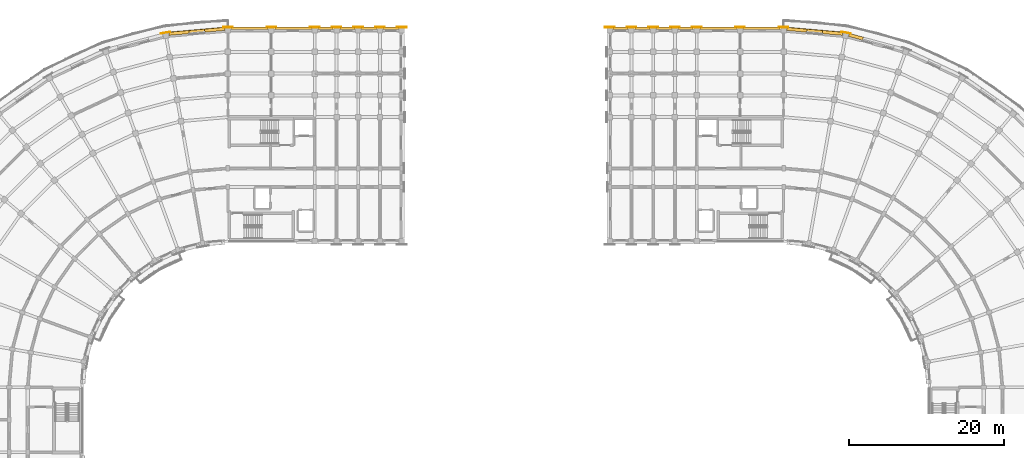
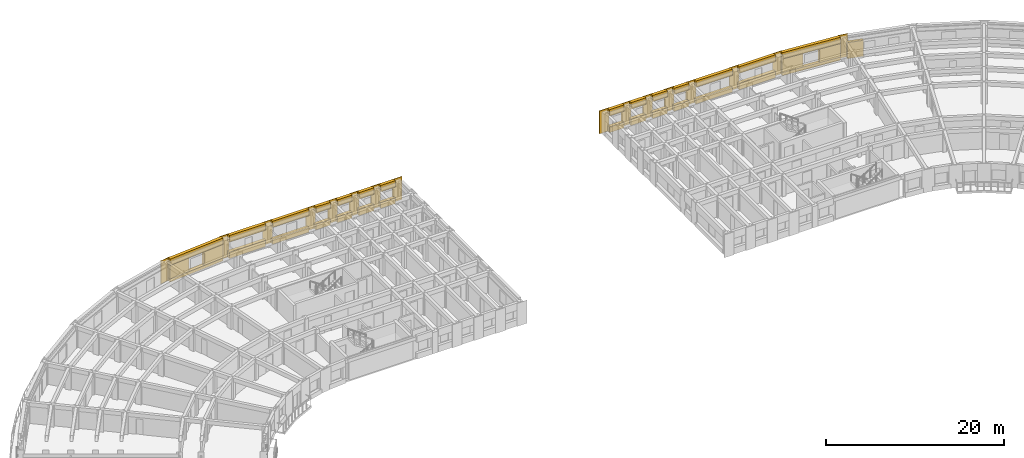
# One storey, part 57 of 57: 49 coverings.
"""IFC4 building model written with IfcOpenShell, lengths in metres."""

import ifcopenshell
import ifcopenshell.guid

model = None  # the IFC model being written
_history = None  # IfcOwnerHistory: only IFC2X3 demands one
_inside = {}  # id of a spatial element -> (the spatial element, [elements in it])
_under = {}  # id of a project, library or spatial element -> (it, [spatial elements below it])
_declared = {}  # id of a project -> (the project, [libraries it declares])
_typed = {}  # id of a type object -> (the type object, [elements of that type])
_made_of = {}  # id of a material, layer set ... -> (it, [elements and type objects made of it])


def new_model(schema):
    """Start an empty IFC model of exactly this schema.

    Asked for "IFC4X3", IfcOpenShell would pick the latest addendum, in which some entities
    have other attributes; the version numbers below select the first issue.
    IFC2X3 requires an IfcOwnerHistory on every rooted entity: one is made here for all.
    """
    global model, _history
    if schema == "IFC4X3":
        model = ifcopenshell.file(schema_version=(4, 3, 0, 0))
    else:
        model = ifcopenshell.file(schema=schema)
    _inside.clear()
    _under.clear()
    _declared.clear()
    _typed.clear()
    _made_of.clear()
    _history = None
    if model.schema == "IFC2X3":
        org = make("IfcOrganization", Name="unknown")
        user = make(
            "IfcPersonAndOrganization",
            ThePerson=make("IfcPerson", FamilyName="unknown"),
            TheOrganization=org,
        )
        app = make(
            "IfcApplication",
            ApplicationDeveloper=org,
            Version="unknown",
            ApplicationFullName="unknown",
            ApplicationIdentifier="unknown",
        )
        _history = make(
            "IfcOwnerHistory",
            OwningUser=user,
            OwningApplication=app,
            ChangeAction="ADDED",
            CreationDate=0,
        )
    return model


def make(cls, **values):
    """One entity of the class cls with the attributes given. An attribute that is None is left unset."""
    return model.create_entity(
        cls, **{name: value for name, value in values.items() if value is not None}
    )


def rooted(cls, **values):
    """An entity with a GlobalId (a new one), such as an element, a storey or a relation."""
    return make(cls, GlobalId=ifcopenshell.guid.new(), OwnerHistory=_history, **values)


def si_unit(unit_type, name, prefix=None):
    """IfcSIUnit, for example si_unit("LENGTHUNIT", "METRE", prefix="MILLI")."""
    return make("IfcSIUnit", UnitType=unit_type, Prefix=prefix, Name=name)


def assignment(units):
    """IfcUnitAssignment: the units of a project."""
    return None if units is None else make("IfcUnitAssignment", Units=units)


def point(xyz):
    """IfcCartesianPoint."""
    return None if xyz is None else make("IfcCartesianPoint", Coordinates=xyz)


def direction(xyz):
    """IfcDirection."""
    return None if xyz is None else make("IfcDirection", DirectionRatios=xyz)


def frame(location, z_axis=None, x_axis=None):
    """IfcAxis2Placement3D, a coordinate frame: its origin and axes. An axis left out is left unset."""
    return make(
        "IfcAxis2Placement3D",
        Location=point(location),
        Axis=direction(z_axis),
        RefDirection=direction(x_axis),
    )


def origin():
    """The frame at (0, 0, 0) with its axes left unset."""
    return frame((0.0, 0.0, 0.0))


def place(relative_to, where):
    """IfcLocalPlacement: puts the frame where relative to a parent placement (None: the world)."""
    return make(
        "IfcLocalPlacement", PlacementRelTo=relative_to, RelativePlacement=where
    )


def context(
    kind, dimensions, precision=None, world=None, true_north=None, identifier=None
):
    """IfcGeometricRepresentationContext, for example the 3D "Model" context."""
    return make(
        "IfcGeometricRepresentationContext",
        ContextIdentifier=identifier,
        ContextType=kind,
        CoordinateSpaceDimension=dimensions,
        Precision=precision,
        WorldCoordinateSystem=world,
        TrueNorth=true_north,
    )


def subcontext(parent, identifier, kind, view, scale=None):
    """IfcGeometricRepresentationSubContext, for example "Body" below "Model"."""
    return make(
        "IfcGeometricRepresentationSubContext",
        ContextIdentifier=identifier,
        ContextType=kind,
        ParentContext=parent,
        TargetScale=scale,
        TargetView=view,
    )


def project(units=None, contexts=None):
    """IfcProject with its units and contexts."""
    return rooted(
        "IfcProject",
        Name="project",
        RepresentationContexts=contexts,
        UnitsInContext=assignment(units),
    )


def spatial(cls, under=None, at=None, **own):
    """A site, building, storey or space (cls), placed at a placement, below another one or the project."""
    s = rooted(cls, ObjectPlacement=at, **own)
    if under is not None:
        _under.setdefault(under.id(), (under, []))[1].append(s)
    return s


def polyline(points):
    """IfcPolyline through the points."""
    return make("IfcPolyline", Points=[point(p) for p in points])


def outline(outer, holes=None, kind="AREA"):
    """IfcArbitraryClosedProfileDef: a profile drawn as a closed curve; with holes, ...WithVoids."""
    if holes is None:
        return make("IfcArbitraryClosedProfileDef", ProfileType=kind, OuterCurve=outer)
    return make(
        "IfcArbitraryProfileDefWithVoids",
        ProfileType=kind,
        OuterCurve=outer,
        InnerCurves=holes,
    )


def extrude(swept, where, along, depth):
    """IfcExtrudedAreaSolid: the profile swept, set in the frame where, extruded along a direction by depth."""
    return make(
        "IfcExtrudedAreaSolid",
        SweptArea=swept,
        Position=where,
        ExtrudedDirection=direction(along),
        Depth=depth,
    )


def shape(context_of_items, identifier, shape_type, items):
    """IfcShapeRepresentation: the items that make up one representation, for example the "Body"."""
    return make(
        "IfcShapeRepresentation",
        ContextOfItems=context_of_items,
        RepresentationIdentifier=identifier,
        RepresentationType=shape_type,
        Items=items,
    )


def material(Name=None, Category=None):
    """IfcMaterial."""
    return make("IfcMaterial", Name=Name, Category=Category)


def layer(
    of_material, thickness, ventilated=None, Name=None, Category=None, Priority=None
):
    """IfcMaterialLayer: one layer of a wall or slab, of a material (None: an air gap)."""
    return make(
        "IfcMaterialLayer",
        Material=of_material,
        LayerThickness=thickness,
        IsVentilated=ventilated,
        Name=Name,
        Category=Category,
        Priority=Priority,
    )


def layer_set(layers, Name=None):
    """IfcMaterialLayerSet."""
    return make("IfcMaterialLayerSet", MaterialLayers=layers, LayerSetName=Name)


def made_of(thing, what):
    """Note that an element or type object is made of a material, layer set ...; save() writes the relation."""
    if what is not None:
        _made_of.setdefault(what.id(), (what, []))[1].append(thing)
    return thing


def type_object(cls, material=None, **own):
    """A type object (cls), such as IfcWallType, which elements share."""
    return made_of(rooted(cls, **own), material)


def element(
    cls,
    number,
    at=None,
    inside=None,
    cuts=None,
    type_object=None,
    material=None,
    context=None,
    identifier="Body",
    shape_type=None,
    held_by="IfcProductDefinitionShape",
    body=None,
    shapes=None,
    **own,
):
    """One element of the class cls, such as IfcWall. Its Tag is "e" and its number.

    at: its placement. inside: the storey or other place that contains it. cuts: it is an
    opening in that element (IfcRelVoidsElement). A single representation is given by context,
    identifier, shape_type and body (its items); several are given by shapes. held_by: the class
    of the entity that holds the representations. save() writes the other relations.
    """
    e = rooted(cls, Tag="e%d" % number, ObjectPlacement=at, **own)
    if body is not None:
        shapes = [shape(context, identifier, shape_type, body)]
    if shapes is not None:
        e.Representation = make(held_by, Representations=shapes)
    if inside is not None:
        _inside.setdefault(inside.id(), (inside, []))[1].append(e)
    if cuts is not None:
        rooted(
            "IfcRelVoidsElement", RelatingBuildingElement=cuts, RelatedOpeningElement=e
        )
    if type_object is not None:
        _typed.setdefault(type_object.id(), (type_object, []))[1].append(e)
    return made_of(e, material)


def aggregate(whole, parts):
    """IfcRelAggregates: a whole, such as a stair, and the parts it consists of."""
    return rooted("IfcRelAggregates", RelatingObject=whole, RelatedObjects=parts)


def save(model, path):
    """Write the relations noted so far, then the file.

    IfcRelAggregates (storeys below a building ...), IfcRelContainedInSpatialStructure (elements
    in a storey), IfcRelDefinesByType, IfcRelAssociatesMaterial and IfcRelDeclares: one each for
    every whole, place, type object, material and project.
    """
    for whole, parts in _under.values():
        aggregate(whole, parts)
    for where, things in _inside.values():
        rooted(
            "IfcRelContainedInSpatialStructure",
            RelatedElements=things,
            RelatingStructure=where,
        )
    for kind, things in _typed.values():
        rooted("IfcRelDefinesByType", RelatedObjects=things, RelatingType=kind)
    for what, things in _made_of.values():
        rooted("IfcRelAssociatesMaterial", RelatedObjects=things, RelatingMaterial=what)
    for by, libraries in _declared.values():
        rooted("IfcRelDeclares", RelatingContext=by, RelatedDefinitions=libraries)
    model.write(path)


model = new_model("IFC4")

# Units and contexts
model_context = context("Model", 3, precision=1e-05, world=origin(), true_north=direction((0.0, 1.0)))
body_context = subcontext(model_context, "Body", "Model", "MODEL_VIEW")
ifc_project = project(units=[si_unit("LENGTHUNIT", "METRE"), si_unit("AREAUNIT", "SQUARE_METRE"), si_unit("VOLUMEUNIT", "CUBIC_METRE"), si_unit("PLANEANGLEUNIT", "RADIAN"), si_unit("MASSUNIT", "GRAM", prefix="KILO")], contexts=[model_context])

# Site, building, storey
site_placement = place(None, origin())
site = spatial("IfcSite", under=ifc_project, at=site_placement, CompositionType="ELEMENT")
building_placement = place(site_placement, origin())
building = spatial("IfcBuilding", under=site, at=building_placement, Name="Kiranvali Square Residences", CompositionType="ELEMENT")
storey_placement = place(building_placement, frame((0.0, 0.0, 21.300048828125)))
storey = spatial("IfcBuildingStorey", under=building, at=storey_placement, Name="L06", CompositionType="ELEMENT", Elevation=21.300048828125)

# Coverings
ifc_material = material(Name="Honed Porbandar limestone ashlar facade cladding", Category="masonry")
ifc_layer_1 = layer(ifc_material, 0.3798828125)
ifc_layer_set_1 = layer_set([ifc_layer_1], Name="Honed Porbandar limestone ashlar facade cladding")
covering_type_1 = type_object("IfcCoveringType", Name="COV-CLAD-JAMB", PredefinedType="CLADDING", material=ifc_layer_set_1)
covering_1_placement = place(storey_placement, frame((0.0, 0.0, 0.421875)))
element("IfcCovering", 1, at=covering_1_placement, inside=storey, type_object=covering_type_1, Name="L06 deep limestone window jamb reveal A-L06-CRV-00.L", PredefinedType="CLADDING", context=body_context, shape_type="SweptSolid", body=[
    extrude(outline(polyline([(47.765869140625, 134.173583984375), (45.19140625, 133.9482421875), (45.22705078125, 133.54052734375), (47.801513671875, 133.765625), (47.765869140625, 134.173583984375)])), origin(), (0.0, 0.0, 1.0), 1.85009765625),
])
covering_2_placement = place(storey_placement, frame((0.0, 0.0, 0.421875)))
element("IfcCovering", 2, at=covering_2_placement, inside=storey, type_object=covering_type_1, Name="L06 deep limestone window jamb reveal A-L06-CRV-00.R", PredefinedType="CLADDING", context=body_context, shape_type="SweptSolid", body=[
    extrude(outline(polyline([(43.149169921875, 133.769775390625), (40.574951171875, 133.54443359375), (40.610595703125, 133.136474609375), (43.18505859375, 133.36181640625), (43.149169921875, 133.769775390625)])), origin(), (0.0, 0.0, 1.0), 1.85009765625),
])
covering_3_placement = place(storey_placement, frame((0.0, 0.0, 0.421875)))
element("IfcCovering", 3, at=covering_3_placement, inside=storey, type_object=covering_type_1, Name="L06 deep limestone window jamb reveal B-L06-CRV-00.L", PredefinedType="CLADDING", context=body_context, shape_type="SweptSolid", body=[
    extrude(outline(polyline([(120.198486328125, 133.765625), (122.77294921875, 133.54052734375), (122.80859375, 133.9482421875), (120.234130859375, 134.173583984375), (120.198486328125, 133.765625)])), origin(), (0.0, 0.0, 1.0), 1.85009765625),
])
covering_4_placement = place(storey_placement, frame((0.0, 0.0, 0.421875)))
element("IfcCovering", 4, at=covering_4_placement, inside=storey, type_object=covering_type_1, Name="L06 deep limestone window jamb reveal B-L06-CRV-00.R", PredefinedType="CLADDING", context=body_context, shape_type="SweptSolid", body=[
    extrude(outline(polyline([(124.81494140625, 133.36181640625), (127.389404296875, 133.136474609375), (127.425048828125, 133.54443359375), (124.850830078125, 133.769775390625), (124.81494140625, 133.36181640625)])), origin(), (0.0, 0.0, 1.0), 1.85009765625),
])
covering_5_placement = place(storey_placement, origin())
element("IfcCovering", 5, at=covering_5_placement, inside=storey, type_object=covering_type_1, Name="L06 deep limestone window jamb reveal B-L06-CRV-01.L", PredefinedType="CLADDING", context=body_context, shape_type="SweptSolid", body=[
    extrude(outline(polyline([(128.17431640625, 132.998046875), (129.98681640625, 132.512451171875), (130.0927734375, 132.907958984375), (128.2802734375, 133.3935546875), (128.17431640625, 132.998046875)])), origin(), (0.0, 0.0, 1.0), 2.179931640625),
])
ifc_layer_2 = layer(ifc_material, 0.06494140625)
ifc_layer_set_2 = layer_set([ifc_layer_2], Name="Honed Porbandar limestone ashlar facade cladding")
covering_type_2 = type_object("IfcCoveringType", Name="COV-CLAD-PIER", PredefinedType="CLADDING", material=ifc_layer_set_2)
covering_6_placement = place(storey_placement, frame((0.0, 0.0, 0.0048828125)))
element("IfcCovering", 6, at=covering_6_placement, inside=storey, type_object=covering_type_2, Name="L06 Classical limestone corner pilaster CLAD-PR-A-L06-A00", PredefinedType="CLADDING", context=body_context, shape_type="SweptSolid", body=[
    extrude(outline(polyline([(48.830078125, 134.218017578125), (47.570068359375, 134.218017578125), (47.570068359375, 134.150390625), (48.830078125, 134.150390625), (48.830078125, 134.218017578125)])), origin(), (0.0, 0.0, 1.0), 3.14013671875),
])
covering_7_placement = place(storey_placement, frame((0.0, 0.0, 0.0048828125)))
element("IfcCovering", 7, at=covering_7_placement, inside=storey, type_object=covering_type_2, Name="L06 Classical limestone corner pilaster CLAD-PR-A-L06-A01", PredefinedType="CLADDING", context=body_context, shape_type="SweptSolid", body=[
    extrude(outline(polyline([(40.760009765625, 133.622314453125), (39.519287109375, 133.4033203125), (39.531005859375, 133.3369140625), (40.771728515625, 133.5556640625), (40.760009765625, 133.622314453125)])), origin(), (0.0, 0.0, 1.0), 3.14013671875),
])
covering_8_placement = place(storey_placement, frame((0.0, 0.0, 0.0048828125)))
element("IfcCovering", 8, at=covering_8_placement, inside=storey, type_object=covering_type_2, Name="L06 Classical limestone pilaster casing CLAD-PR-A-L06-U56", PredefinedType="CLADDING", context=body_context, shape_type="SweptSolid", body=[
    extrude(outline(polyline([(53.169921875, 134.150390625), (54.429931640625, 134.150390625), (54.429931640625, 134.218017578125), (53.169921875, 134.218017578125), (53.169921875, 134.150390625)])), origin(), (0.0, 0.0, 1.0), 3.14013671875),
])
covering_9_placement = place(storey_placement, frame((0.0, 0.0, 0.0048828125)))
element("IfcCovering", 9, at=covering_9_placement, inside=storey, type_object=covering_type_2, Name="L06 Classical limestone pilaster casing CLAD-PR-A-L06-U112", PredefinedType="CLADDING", context=body_context, shape_type="SweptSolid", body=[
    extrude(outline(polyline([(58.77001953125, 134.150390625), (60.030029296875, 134.150390625), (60.030029296875, 134.218017578125), (58.77001953125, 134.218017578125), (58.77001953125, 134.150390625)])), origin(), (0.0, 0.0, 1.0), 3.14013671875),
])
covering_10_placement = place(storey_placement, frame((0.0, 0.0, 0.0048828125)))
element("IfcCovering", 10, at=covering_10_placement, inside=storey, type_object=covering_type_2, Name="L06 Classical limestone pilaster casing CLAD-PR-A-L06-U140", PredefinedType="CLADDING", context=body_context, shape_type="SweptSolid", body=[
    extrude(outline(polyline([(61.570068359375, 134.150390625), (62.830078125, 134.150390625), (62.830078125, 134.218017578125), (61.570068359375, 134.218017578125), (61.570068359375, 134.150390625)])), origin(), (0.0, 0.0, 1.0), 3.14013671875),
])
covering_11_placement = place(storey_placement, frame((0.0, 0.0, 0.0048828125)))
element("IfcCovering", 11, at=covering_11_placement, inside=storey, type_object=covering_type_2, Name="L06 Classical limestone pilaster casing CLAD-PR-A-L06-U167", PredefinedType="CLADDING", context=body_context, shape_type="SweptSolid", body=[
    extrude(outline(polyline([(64.3701171875, 134.150390625), (65.6298828125, 134.150390625), (65.6298828125, 134.218017578125), (64.3701171875, 134.218017578125), (64.3701171875, 134.150390625)])), origin(), (0.0, 0.0, 1.0), 3.14013671875),
])
covering_12_placement = place(storey_placement, frame((0.0, 0.0, 0.0048828125)))
element("IfcCovering", 12, at=covering_12_placement, inside=storey, type_object=covering_type_2, Name="L06 Classical limestone pilaster casing CLAD-PR-A-L06-U195", PredefinedType="CLADDING", context=body_context, shape_type="SweptSolid", body=[
    extrude(outline(polyline([(67.169921875, 134.150390625), (68.429931640625, 134.150390625), (68.429931640625, 134.218017578125), (67.169921875, 134.218017578125), (67.169921875, 134.150390625)])), origin(), (0.0, 0.0, 1.0), 3.14013671875),
])
covering_13_placement = place(storey_placement, frame((0.0, 0.0, 0.0048828125)))
element("IfcCovering", 13, at=covering_13_placement, inside=storey, type_object=covering_type_2, Name="L06 Classical limestone pilaster casing CLAD-PR-A-L06-U224", PredefinedType="CLADDING", context=body_context, shape_type="SweptSolid", body=[
    extrude(outline(polyline([(69.969970703125, 134.150390625), (71.22998046875, 134.150390625), (71.22998046875, 134.218017578125), (69.969970703125, 134.218017578125), (69.969970703125, 134.150390625)])), origin(), (0.0, 0.0, 1.0), 3.14013671875),
])
covering_14_placement = place(storey_placement, frame((0.0, 0.0, 0.0048828125)))
element("IfcCovering", 14, at=covering_14_placement, inside=storey, type_object=covering_type_2, Name="L06 Classical limestone corner pilaster CLAD-PR-B-L06-A00", PredefinedType="CLADDING", context=body_context, shape_type="SweptSolid", body=[
    extrude(outline(polyline([(120.429931640625, 134.218017578125), (119.169921875, 134.218017578125), (119.169921875, 134.150390625), (120.429931640625, 134.150390625), (120.429931640625, 134.218017578125)])), origin(), (0.0, 0.0, 1.0), 3.14013671875),
])
covering_15_placement = place(storey_placement, frame((0.0, 0.0, 0.0048828125)))
element("IfcCovering", 15, at=covering_15_placement, inside=storey, type_object=covering_type_2, Name="L06 Classical limestone corner pilaster CLAD-PR-B-L06-A01", PredefinedType="CLADDING", context=body_context, shape_type="SweptSolid", body=[
    extrude(outline(polyline([(128.480712890625, 133.4033203125), (127.239990234375, 133.622314453125), (127.228271484375, 133.5556640625), (128.468994140625, 133.3369140625), (128.480712890625, 133.4033203125)])), origin(), (0.0, 0.0, 1.0), 3.14013671875),
])
covering_16_placement = place(storey_placement, frame((0.0, 0.0, 0.0048828125)))
element("IfcCovering", 16, at=covering_16_placement, inside=storey, type_object=covering_type_2, Name="L06 Classical limestone pilaster casing CLAD-PR-B-L06-U56", PredefinedType="CLADDING", context=body_context, shape_type="SweptSolid", body=[
    extrude(outline(polyline([(114.830078125, 134.218017578125), (113.570068359375, 134.218017578125), (113.570068359375, 134.150390625), (114.830078125, 134.150390625), (114.830078125, 134.218017578125)])), origin(), (0.0, 0.0, 1.0), 3.14013671875),
])
covering_17_placement = place(storey_placement, frame((0.0, 0.0, 0.0048828125)))
element("IfcCovering", 17, at=covering_17_placement, inside=storey, type_object=covering_type_2, Name="L06 Classical limestone pilaster casing CLAD-PR-B-L06-U112", PredefinedType="CLADDING", context=body_context, shape_type="SweptSolid", body=[
    extrude(outline(polyline([(109.22998046875, 134.218017578125), (107.969970703125, 134.218017578125), (107.969970703125, 134.150390625), (109.22998046875, 134.150390625), (109.22998046875, 134.218017578125)])), origin(), (0.0, 0.0, 1.0), 3.14013671875),
])
covering_18_placement = place(storey_placement, frame((0.0, 0.0, 0.0048828125)))
element("IfcCovering", 18, at=covering_18_placement, inside=storey, type_object=covering_type_2, Name="L06 Classical limestone pilaster casing CLAD-PR-B-L06-U140", PredefinedType="CLADDING", context=body_context, shape_type="SweptSolid", body=[
    extrude(outline(polyline([(106.429931640625, 134.218017578125), (105.169921875, 134.218017578125), (105.169921875, 134.150390625), (106.429931640625, 134.150390625), (106.429931640625, 134.218017578125)])), origin(), (0.0, 0.0, 1.0), 3.14013671875),
])
covering_19_placement = place(storey_placement, frame((0.0, 0.0, 0.0048828125)))
element("IfcCovering", 19, at=covering_19_placement, inside=storey, type_object=covering_type_2, Name="L06 Classical limestone pilaster casing CLAD-PR-B-L06-U167", PredefinedType="CLADDING", context=body_context, shape_type="SweptSolid", body=[
    extrude(outline(polyline([(103.6298828125, 134.218017578125), (102.3701171875, 134.218017578125), (102.3701171875, 134.150390625), (103.6298828125, 134.150390625), (103.6298828125, 134.218017578125)])), origin(), (0.0, 0.0, 1.0), 3.14013671875),
])
covering_20_placement = place(storey_placement, frame((0.0, 0.0, 0.0048828125)))
element("IfcCovering", 20, at=covering_20_placement, inside=storey, type_object=covering_type_2, Name="L06 Classical limestone pilaster casing CLAD-PR-B-L06-U195", PredefinedType="CLADDING", context=body_context, shape_type="SweptSolid", body=[
    extrude(outline(polyline([(100.830078125, 134.218017578125), (99.570068359375, 134.218017578125), (99.570068359375, 134.150390625), (100.830078125, 134.150390625), (100.830078125, 134.218017578125)])), origin(), (0.0, 0.0, 1.0), 3.14013671875),
])
covering_21_placement = place(storey_placement, frame((0.0, 0.0, 0.0048828125)))
element("IfcCovering", 21, at=covering_21_placement, inside=storey, type_object=covering_type_2, Name="L06 Classical limestone pilaster casing CLAD-PR-B-L06-U224", PredefinedType="CLADDING", context=body_context, shape_type="SweptSolid", body=[
    extrude(outline(polyline([(98.030029296875, 134.218017578125), (96.77001953125, 134.218017578125), (96.77001953125, 134.150390625), (98.030029296875, 134.150390625), (98.030029296875, 134.218017578125)])), origin(), (0.0, 0.0, 1.0), 3.14013671875),
])
ifc_layer_3 = layer(ifc_material, 0.360107421875)
ifc_layer_set_3 = layer_set([ifc_layer_3], Name="Honed Porbandar limestone ashlar facade cladding")
covering_type_3 = type_object("IfcCoveringType", Name="COV-CLAD-WALL", PredefinedType="CLADDING", material=ifc_layer_set_3)
covering_22_placement = place(storey_placement, frame((0.0, 0.0, 2.27197265625)))
element("IfcCovering", 22, at=covering_22_placement, inside=storey, type_object=covering_type_3, Name="L06 light limestone spandrel lintel A-L06-CRV-00", PredefinedType="CLADDING", context=body_context, shape_type="SweptSolid", body=[
    extrude(outline(polyline([(47.765869140625, 134.173583984375), (40.574951171875, 133.54443359375), (40.610595703125, 133.136474609375), (47.801513671875, 133.765625), (47.765869140625, 134.173583984375)])), origin(), (0.0, 0.0, 1.0), 0.873046875),
])
covering_23_placement = place(storey_placement, frame((0.0, 0.0, 0.0048828125)))
element("IfcCovering", 23, at=covering_23_placement, inside=storey, type_object=covering_type_3, Name="L06 limestone window sill apron A-L06-CRV-00", PredefinedType="CLADDING", context=body_context, shape_type="SweptSolid", body=[
    extrude(outline(polyline([(47.76318359375, 134.203369140625), (40.572265625, 133.57421875), (40.610595703125, 133.136474609375), (47.801513671875, 133.765625), (47.76318359375, 134.203369140625)])), origin(), (0.0, 0.0, 1.0), 0.4169921875),
])
covering_24_placement = place(storey_placement, frame((0.0, 0.0, 2.22998046875)))
element("IfcCovering", 24, at=covering_24_placement, inside=storey, type_object=covering_type_3, Name="L06 light limestone spandrel lintel A-L06-A1O-0", PredefinedType="CLADDING", context=body_context, shape_type="SweptSolid", body=[
    extrude(outline(polyline([(48.639892578125, 133.800537109375), (53.360107421875, 133.800537109375), (53.360107421875, 134.199951171875), (48.639892578125, 134.199951171875), (48.639892578125, 133.800537109375)])), origin(), (0.0, 0.0, 1.0), 0.9150390625),
])
covering_25_placement = place(storey_placement, frame((0.0, 0.0, 0.0048828125)))
element("IfcCovering", 25, at=covering_25_placement, inside=storey, type_object=covering_type_3, Name="L06 limestone window sill apron A-L06-A1O-0", PredefinedType="CLADDING", context=body_context, shape_type="SweptSolid", body=[
    extrude(outline(polyline([(48.639892578125, 133.800537109375), (53.360107421875, 133.800537109375), (53.360107421875, 134.22998046875), (48.639892578125, 134.22998046875), (48.639892578125, 133.800537109375)])), origin(), (0.0, 0.0, 1.0), 0.875),
])
covering_26_placement = place(storey_placement, frame((0.0, 0.0, 2.27197265625)))
element("IfcCovering", 26, at=covering_26_placement, inside=storey, type_object=covering_type_3, Name="L06 light limestone spandrel lintel A-L06-A1O-1", PredefinedType="CLADDING", context=body_context, shape_type="SweptSolid", body=[
    extrude(outline(polyline([(54.239990234375, 133.800537109375), (58.9599609375, 133.800537109375), (58.9599609375, 134.199951171875), (54.239990234375, 134.199951171875), (54.239990234375, 133.800537109375)])), origin(), (0.0, 0.0, 1.0), 0.873046875),
])
covering_27_placement = place(storey_placement, frame((0.0, 0.0, 0.0048828125)))
element("IfcCovering", 27, at=covering_27_placement, inside=storey, type_object=covering_type_3, Name="L06 limestone window sill apron A-L06-A1O-1", PredefinedType="CLADDING", context=body_context, shape_type="SweptSolid", body=[
    extrude(outline(polyline([(54.239990234375, 133.800537109375), (58.9599609375, 133.800537109375), (58.9599609375, 134.22998046875), (54.239990234375, 134.22998046875), (54.239990234375, 133.800537109375)])), origin(), (0.0, 0.0, 1.0), 0.6669921875),
])
covering_28_placement = place(storey_placement, frame((0.0, 0.0, 2.27197265625)))
element("IfcCovering", 28, at=covering_28_placement, inside=storey, type_object=covering_type_3, Name="L06 light limestone spandrel lintel A-L06-A1O-2", PredefinedType="CLADDING", context=body_context, shape_type="SweptSolid", body=[
    extrude(outline(polyline([(59.840087890625, 133.800537109375), (61.760009765625, 133.800537109375), (61.760009765625, 134.199951171875), (59.840087890625, 134.199951171875), (59.840087890625, 133.800537109375)])), origin(), (0.0, 0.0, 1.0), 0.873046875),
])
covering_29_placement = place(storey_placement, frame((0.0, 0.0, 0.0048828125)))
element("IfcCovering", 29, at=covering_29_placement, inside=storey, type_object=covering_type_3, Name="L06 limestone window sill apron A-L06-A1O-2", PredefinedType="CLADDING", context=body_context, shape_type="SweptSolid", body=[
    extrude(outline(polyline([(59.840087890625, 133.800537109375), (61.760009765625, 133.800537109375), (61.760009765625, 134.22998046875), (59.840087890625, 134.22998046875), (59.840087890625, 133.800537109375)])), origin(), (0.0, 0.0, 1.0), 0.76708984375),
])
covering_30_placement = place(storey_placement, frame((0.0, 0.0, 2.27197265625)))
element("IfcCovering", 30, at=covering_30_placement, inside=storey, type_object=covering_type_3, Name="L06 light limestone spandrel lintel A-L06-A1O-3", PredefinedType="CLADDING", context=body_context, shape_type="SweptSolid", body=[
    extrude(outline(polyline([(62.639892578125, 133.800537109375), (64.56005859375, 133.800537109375), (64.56005859375, 134.199951171875), (62.639892578125, 134.199951171875), (62.639892578125, 133.800537109375)])), origin(), (0.0, 0.0, 1.0), 0.873046875),
])
covering_31_placement = place(storey_placement, frame((0.0, 0.0, 0.0048828125)))
element("IfcCovering", 31, at=covering_31_placement, inside=storey, type_object=covering_type_3, Name="L06 limestone window sill apron A-L06-A1O-3", PredefinedType="CLADDING", context=body_context, shape_type="SweptSolid", body=[
    extrude(outline(polyline([(62.639892578125, 133.800537109375), (64.56005859375, 133.800537109375), (64.56005859375, 134.22998046875), (62.639892578125, 134.22998046875), (62.639892578125, 133.800537109375)])), origin(), (0.0, 0.0, 1.0), 0.817138671875),
])
covering_32_placement = place(storey_placement, frame((0.0, 0.0, 2.22998046875)))
element("IfcCovering", 32, at=covering_32_placement, inside=storey, type_object=covering_type_3, Name="L06 light limestone spandrel lintel A-L06-A1O-4", PredefinedType="CLADDING", context=body_context, shape_type="SweptSolid", body=[
    extrude(outline(polyline([(65.43994140625, 133.800537109375), (67.360107421875, 133.800537109375), (67.360107421875, 134.199951171875), (65.43994140625, 134.199951171875), (65.43994140625, 133.800537109375)])), origin(), (0.0, 0.0, 1.0), 0.9150390625),
])
covering_33_placement = place(storey_placement, frame((0.0, 0.0, 0.0048828125)))
element("IfcCovering", 33, at=covering_33_placement, inside=storey, type_object=covering_type_3, Name="L06 limestone window sill apron A-L06-A1O-4", PredefinedType="CLADDING", context=body_context, shape_type="SweptSolid", body=[
    extrude(outline(polyline([(65.43994140625, 133.800537109375), (67.360107421875, 133.800537109375), (67.360107421875, 134.22998046875), (65.43994140625, 134.22998046875), (65.43994140625, 133.800537109375)])), origin(), (0.0, 0.0, 1.0), 0.875),
])
covering_34_placement = place(storey_placement, frame((0.0, 0.0, 2.27197265625)))
element("IfcCovering", 34, at=covering_34_placement, inside=storey, type_object=covering_type_3, Name="L06 light limestone spandrel lintel A-L06-A1O-5", PredefinedType="CLADDING", context=body_context, shape_type="SweptSolid", body=[
    extrude(outline(polyline([(68.239990234375, 133.800537109375), (70.159912109375, 133.800537109375), (70.159912109375, 134.199951171875), (68.239990234375, 134.199951171875), (68.239990234375, 133.800537109375)])), origin(), (0.0, 0.0, 1.0), 0.873046875),
])
covering_35_placement = place(storey_placement, frame((0.0, 0.0, 0.0048828125)))
element("IfcCovering", 35, at=covering_35_placement, inside=storey, type_object=covering_type_3, Name="L06 limestone window sill apron A-L06-A1O-5", PredefinedType="CLADDING", context=body_context, shape_type="SweptSolid", body=[
    extrude(outline(polyline([(68.239990234375, 133.800537109375), (70.159912109375, 133.800537109375), (70.159912109375, 134.22998046875), (68.239990234375, 134.22998046875), (68.239990234375, 133.800537109375)])), origin(), (0.0, 0.0, 1.0), 0.76708984375),
])
covering_36_placement = place(storey_placement, frame((0.0, 0.0, 2.27197265625)))
element("IfcCovering", 36, at=covering_36_placement, inside=storey, type_object=covering_type_3, Name="L06 light limestone spandrel lintel B-L06-CRV-00", PredefinedType="CLADDING", context=body_context, shape_type="SweptSolid", body=[
    extrude(outline(polyline([(120.198486328125, 133.765625), (127.389404296875, 133.136474609375), (127.425048828125, 133.54443359375), (120.234130859375, 134.173583984375), (120.198486328125, 133.765625)])), origin(), (0.0, 0.0, 1.0), 0.873046875),
])
covering_37_placement = place(storey_placement, frame((0.0, 0.0, 0.0048828125)))
element("IfcCovering", 37, at=covering_37_placement, inside=storey, type_object=covering_type_3, Name="L06 limestone window sill apron B-L06-CRV-00", PredefinedType="CLADDING", context=body_context, shape_type="SweptSolid", body=[
    extrude(outline(polyline([(120.198486328125, 133.765625), (127.389404296875, 133.136474609375), (127.427734375, 133.57421875), (120.23681640625, 134.203369140625), (120.198486328125, 133.765625)])), origin(), (0.0, 0.0, 1.0), 0.4169921875),
])
covering_38_placement = place(storey_placement, frame((0.0, 0.0, 2.22998046875)))
element("IfcCovering", 38, at=covering_38_placement, inside=storey, type_object=covering_type_3, Name="L06 light limestone spandrel lintel B-L06-A1O-0", PredefinedType="CLADDING", context=body_context, shape_type="SweptSolid", body=[
    extrude(outline(polyline([(119.360107421875, 134.199951171875), (114.639892578125, 134.199951171875), (114.639892578125, 133.800537109375), (119.360107421875, 133.800537109375), (119.360107421875, 134.199951171875)])), origin(), (0.0, 0.0, 1.0), 0.9150390625),
])
covering_39_placement = place(storey_placement, frame((0.0, 0.0, 0.0048828125)))
element("IfcCovering", 39, at=covering_39_placement, inside=storey, type_object=covering_type_3, Name="L06 limestone window sill apron B-L06-A1O-0", PredefinedType="CLADDING", context=body_context, shape_type="SweptSolid", body=[
    extrude(outline(polyline([(119.360107421875, 134.22998046875), (114.639892578125, 134.22998046875), (114.639892578125, 133.800537109375), (119.360107421875, 133.800537109375), (119.360107421875, 134.22998046875)])), origin(), (0.0, 0.0, 1.0), 0.875),
])
covering_40_placement = place(storey_placement, frame((0.0, 0.0, 2.27197265625)))
element("IfcCovering", 40, at=covering_40_placement, inside=storey, type_object=covering_type_3, Name="L06 light limestone spandrel lintel B-L06-A1O-1", PredefinedType="CLADDING", context=body_context, shape_type="SweptSolid", body=[
    extrude(outline(polyline([(113.760009765625, 134.199951171875), (109.0400390625, 134.199951171875), (109.0400390625, 133.800537109375), (113.760009765625, 133.800537109375), (113.760009765625, 134.199951171875)])), origin(), (0.0, 0.0, 1.0), 0.873046875),
])
covering_41_placement = place(storey_placement, frame((0.0, 0.0, 0.0048828125)))
element("IfcCovering", 41, at=covering_41_placement, inside=storey, type_object=covering_type_3, Name="L06 limestone window sill apron B-L06-A1O-1", PredefinedType="CLADDING", context=body_context, shape_type="SweptSolid", body=[
    extrude(outline(polyline([(113.760009765625, 134.22998046875), (109.0400390625, 134.22998046875), (109.0400390625, 133.800537109375), (113.760009765625, 133.800537109375), (113.760009765625, 134.22998046875)])), origin(), (0.0, 0.0, 1.0), 0.6669921875),
])
covering_42_placement = place(storey_placement, frame((0.0, 0.0, 2.27197265625)))
element("IfcCovering", 42, at=covering_42_placement, inside=storey, type_object=covering_type_3, Name="L06 light limestone spandrel lintel B-L06-A1O-2", PredefinedType="CLADDING", context=body_context, shape_type="SweptSolid", body=[
    extrude(outline(polyline([(108.159912109375, 134.199951171875), (106.239990234375, 134.199951171875), (106.239990234375, 133.800537109375), (108.159912109375, 133.800537109375), (108.159912109375, 134.199951171875)])), origin(), (0.0, 0.0, 1.0), 0.873046875),
])
covering_43_placement = place(storey_placement, frame((0.0, 0.0, 0.0048828125)))
element("IfcCovering", 43, at=covering_43_placement, inside=storey, type_object=covering_type_3, Name="L06 limestone window sill apron B-L06-A1O-2", PredefinedType="CLADDING", context=body_context, shape_type="SweptSolid", body=[
    extrude(outline(polyline([(108.159912109375, 134.22998046875), (106.239990234375, 134.22998046875), (106.239990234375, 133.800537109375), (108.159912109375, 133.800537109375), (108.159912109375, 134.22998046875)])), origin(), (0.0, 0.0, 1.0), 0.76708984375),
])
covering_44_placement = place(storey_placement, frame((0.0, 0.0, 2.27197265625)))
element("IfcCovering", 44, at=covering_44_placement, inside=storey, type_object=covering_type_3, Name="L06 light limestone spandrel lintel B-L06-A1O-3", PredefinedType="CLADDING", context=body_context, shape_type="SweptSolid", body=[
    extrude(outline(polyline([(105.360107421875, 134.199951171875), (103.43994140625, 134.199951171875), (103.43994140625, 133.800537109375), (105.360107421875, 133.800537109375), (105.360107421875, 134.199951171875)])), origin(), (0.0, 0.0, 1.0), 0.873046875),
])
covering_45_placement = place(storey_placement, frame((0.0, 0.0, 0.0048828125)))
element("IfcCovering", 45, at=covering_45_placement, inside=storey, type_object=covering_type_3, Name="L06 limestone window sill apron B-L06-A1O-3", PredefinedType="CLADDING", context=body_context, shape_type="SweptSolid", body=[
    extrude(outline(polyline([(105.360107421875, 134.22998046875), (103.43994140625, 134.22998046875), (103.43994140625, 133.800537109375), (105.360107421875, 133.800537109375), (105.360107421875, 134.22998046875)])), origin(), (0.0, 0.0, 1.0), 0.817138671875),
])
covering_46_placement = place(storey_placement, frame((0.0, 0.0, 2.22998046875)))
element("IfcCovering", 46, at=covering_46_placement, inside=storey, type_object=covering_type_3, Name="L06 light limestone spandrel lintel B-L06-A1O-4", PredefinedType="CLADDING", context=body_context, shape_type="SweptSolid", body=[
    extrude(outline(polyline([(102.56005859375, 134.199951171875), (100.639892578125, 134.199951171875), (100.639892578125, 133.800537109375), (102.56005859375, 133.800537109375), (102.56005859375, 134.199951171875)])), origin(), (0.0, 0.0, 1.0), 0.9150390625),
])
covering_47_placement = place(storey_placement, frame((0.0, 0.0, 0.0048828125)))
element("IfcCovering", 47, at=covering_47_placement, inside=storey, type_object=covering_type_3, Name="L06 limestone window sill apron B-L06-A1O-4", PredefinedType="CLADDING", context=body_context, shape_type="SweptSolid", body=[
    extrude(outline(polyline([(102.56005859375, 134.22998046875), (100.639892578125, 134.22998046875), (100.639892578125, 133.800537109375), (102.56005859375, 133.800537109375), (102.56005859375, 134.22998046875)])), origin(), (0.0, 0.0, 1.0), 0.875),
])
covering_48_placement = place(storey_placement, frame((0.0, 0.0, 2.27197265625)))
element("IfcCovering", 48, at=covering_48_placement, inside=storey, type_object=covering_type_3, Name="L06 light limestone spandrel lintel B-L06-A1O-5", PredefinedType="CLADDING", context=body_context, shape_type="SweptSolid", body=[
    extrude(outline(polyline([(99.760009765625, 134.199951171875), (97.840087890625, 134.199951171875), (97.840087890625, 133.800537109375), (99.760009765625, 133.800537109375), (99.760009765625, 134.199951171875)])), origin(), (0.0, 0.0, 1.0), 0.873046875),
])
covering_49_placement = place(storey_placement, frame((0.0, 0.0, 0.0048828125)))
element("IfcCovering", 49, at=covering_49_placement, inside=storey, type_object=covering_type_3, Name="L06 limestone window sill apron B-L06-A1O-5", PredefinedType="CLADDING", context=body_context, shape_type="SweptSolid", body=[
    extrude(outline(polyline([(99.760009765625, 134.22998046875), (97.840087890625, 134.22998046875), (97.840087890625, 133.800537109375), (99.760009765625, 133.800537109375), (99.760009765625, 134.22998046875)])), origin(), (0.0, 0.0, 1.0), 0.76708984375),
])

save(model, "model.ifc")
